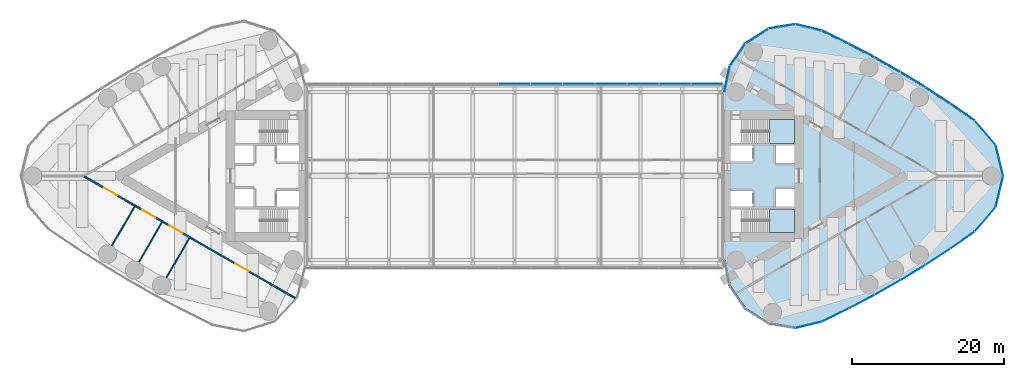
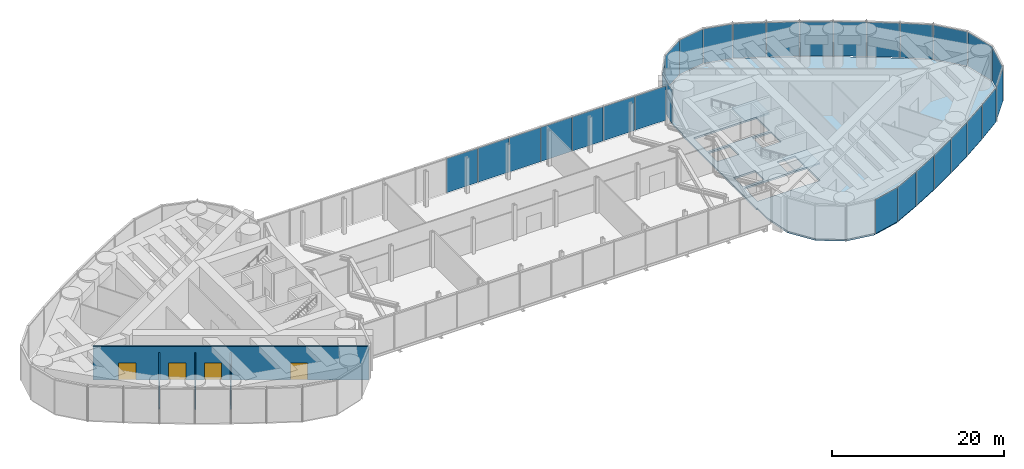
# One storey, part 14 of 19: 29 plates, 4 doors, 4 walls, 3 slabs, 4 openings, 4 elements without a shape of their own.
"""IFC4 building model written with IfcOpenShell, lengths in metres."""

from ifc_helpers import new_model, si_unit, direction, frame, frame_2d, origin, origin_2d, place, context, subcontext, project, spatial, polyline, rectangle, outline, extrude, material, layer, layer_set, type_object, element, fill, aggregate, save


model = new_model("IFC4")

# Units and contexts
model_context = context("Model", 3, precision=1e-05, world=origin(), true_north=direction((0.0, 1.0)))
body_context = subcontext(model_context, "Body", "Model", "MODEL_VIEW")
ifc_project = project(units=[si_unit("LENGTHUNIT", "METRE"), si_unit("AREAUNIT", "SQUARE_METRE"), si_unit("VOLUMEUNIT", "CUBIC_METRE"), si_unit("PLANEANGLEUNIT", "RADIAN"), si_unit("MASSUNIT", "GRAM", prefix="KILO")], contexts=[model_context])

# Site, building, storey
site_placement = place(None, origin())
site = spatial("IfcSite", under=ifc_project, at=site_placement, CompositionType="ELEMENT")
building_placement = place(site_placement, origin())
building = spatial("IfcBuilding", under=site, at=building_placement, Name="Lancet Gate Hotel", CompositionType="ELEMENT")
storey_placement = place(building_placement, frame((0.0, 0.0, 263.300048828125)))
storey = spatial("IfcBuildingStorey", under=building, at=storey_placement, Name="L69", CompositionType="ELEMENT", Elevation=263.300048828125)

# Slab
ifc_material_1 = material(Name="Concrete C50/60", Category="concrete")
ifc_layer_1 = layer(ifc_material_1, 0.25)
ifc_layer_set_1 = layer_set([ifc_layer_1], Name="Floor slab 250")
slab_type_1 = type_object("IfcSlabType", Name="Floor slab 250", PredefinedType="FLOOR", material=ifc_layer_set_1)
slab_1_placement = place(storey_placement, frame((0.0, 0.0, -0.25)))
element("IfcSlab", 1, at=slab_1_placement, inside=storey, type_object=slab_type_1, Name="T2 L69 floor slab", PredefinedType="FLOOR", context=body_context, shape_type="SweptSolid", body=[
    extrude(outline(polyline([(27.6201171875, -8.60009765625), (27.6201171875, -10.93603515625), (28.329345703125, -14.419677734375), (30.33740234375, -17.338134765625), (33.326904296875, -19.2392578125), (36.82177734375, -19.81982421875), (40.2763671875, -18.98486328125), (43.753662109375, -17.2890625), (47.18603515625, -15.47998046875), (50.5595703125, -13.56396484375), (53.87158203125, -11.54296875), (57.118408203125, -9.4189453125), (60.2861328125, -7.20166015625), (62.99658203125, -4.03759765625), (63.968017578125, 0.0), (62.99658203125, 4.03759765625), (60.2861328125, 7.20166015625), (57.118408203125, 9.4189453125), (53.87158203125, 11.54296875), (50.5595703125, 13.56396484375), (47.18603515625, 15.47998046875), (43.753662109375, 17.2890625), (40.2763671875, 18.98486328125), (36.82177734375, 19.81982421875), (33.326904296875, 19.2392578125), (30.33740234375, 17.338134765625), (28.329345703125, 14.419677734375), (27.6201171875, 10.93603515625), (27.6201171875, 8.60009765625), (27.5, 8.60009765625), (27.5, 8.199951171875), (27.5, -8.199951171875), (27.5, -8.60009765625), (27.6201171875, -8.60009765625)]), holes=[polyline([(28.300048828125, -7.39990234375), (36.699951171875, -7.39990234375), (36.699951171875, -4.300048828125), (28.300048828125, -4.300048828125), (28.300048828125, -7.39990234375)]), polyline([(28.300048828125, -1.89990234375), (28.300048828125, -4.0), (31.199951171875, -4.0), (31.199951171875, -1.89990234375), (28.300048828125, -1.89990234375)]), polyline([(34.25, -1.64990234375), (34.25, -4.0), (36.699951171875, -4.0), (36.699951171875, -1.64990234375), (34.25, -1.64990234375)]), polyline([(34.25, 1.64990234375), (36.699951171875, 1.64990234375), (36.699951171875, 4.0), (34.25, 4.0), (34.25, 1.64990234375)]), polyline([(28.300048828125, 4.0), (28.300048828125, 1.89990234375), (31.199951171875, 1.89990234375), (31.199951171875, 4.0), (28.300048828125, 4.0)]), polyline([(28.300048828125, 7.39990234375), (28.300048828125, 4.300048828125), (36.699951171875, 4.300048828125), (36.699951171875, 7.39990234375), (28.300048828125, 7.39990234375)])]), origin(), (0.0, 0.0, 1.0), 0.25),
])

# Curtain wall, plates
ifc_material_2 = material(Name="Aluminium curtain wall", Category="aluminium")
curtain_wall_type = type_object("IfcCurtainWallType", Name="Lantern crown glazing", PredefinedType="USERDEFINED", material=ifc_material_2)
curtain_wall_1_placement = place(storey_placement, origin())
curtain_wall_1 = element("IfcCurtainWall", 2, at=curtain_wall_1_placement, inside=storey, type_object=curtain_wall_type, Name="T2 L69 curtain wall 1", ObjectType="LANTERN GLAZING", PredefinedType="USERDEFINED")
ifc_material_3 = material(Name="Laminated low-iron glass 12-12", Category="glass")
ifc_layer_2 = layer(ifc_material_3, 0.02392578125)
ifc_layer_set_2 = layer_set([ifc_layer_2], Name="Lantern glass panel")
plate_type = type_object("IfcPlateType", Name="Lantern glass panel", PredefinedType="CURTAIN_PANEL", material=ifc_layer_set_2)
plate_1_placement = place(storey_placement, frame((38.57177734375, -19.520263671875, 0.0), z_axis=(0.0, 0.0, 1.0), x_axis=(0.972013837597, 0.234923603582, 0.0)))
plate_1 = element("IfcPlate", 3, at=plate_1_placement, type_object=plate_type, Name="T2 L69 curtain wall 1 panel 5", PredefinedType="CURTAIN_PANEL", context=body_context, shape_type="SweptSolid", body=[
    extrude(rectangle(XDim=3.526611328125, YDim=0.02392578125, at=origin_2d()), origin(), (0.0, 0.0, 1.0), 4.85009765625),
])
plate_2_placement = place(storey_placement, frame((42.062744140625, -18.247314453125, 0.0), z_axis=(0.0, 0.0, 1.0), x_axis=(0.898823462202, 0.438310830114, 0.0)))
plate_2 = element("IfcPlate", 4, at=plate_2_placement, type_object=plate_type, Name="T2 L69 curtain wall 1 panel 6", PredefinedType="CURTAIN_PANEL", context=body_context, shape_type="SweptSolid", body=[
    extrude(rectangle(XDim=3.818603515625, YDim=0.02392578125, at=origin_2d()), origin(), (0.0, 0.0, 1.0), 4.85009765625),
])
plate_3_placement = place(storey_placement, frame((45.52587890625, -16.49072265625, 0.0), z_axis=(0.0, 0.0, 1.0), x_axis=(0.884622760861, 0.466307378204, 0.0)))
plate_3 = element("IfcPlate", 5, at=plate_3_placement, type_object=plate_type, Name="T2 L69 curtain wall 1 panel 7", PredefinedType="CURTAIN_PANEL", context=body_context, shape_type="SweptSolid", body=[
    extrude(rectangle(XDim=3.818603515625, YDim=0.02392578125, at=origin_2d()), origin(), (0.0, 0.0, 1.0), 4.85009765625),
])
plate_4_placement = place(storey_placement, frame((48.93212890625, -14.626220703125, 0.0), z_axis=(0.0, 0.0, 1.0), x_axis=(0.869550293306, 0.493844395951, 0.0)))
plate_4 = element("IfcPlate", 6, at=plate_4_placement, type_object=plate_type, Name="T2 L69 curtain wall 1 panel 8", PredefinedType="CURTAIN_PANEL", context=body_context, shape_type="SweptSolid", body=[
    extrude(rectangle(XDim=3.818603515625, YDim=0.02392578125, at=origin_2d()), origin(), (0.0, 0.0, 1.0), 4.85009765625),
])
plate_5_placement = place(storey_placement, frame((52.278076171875, -12.65576171875, 0.0), z_axis=(0.0, 0.0, 1.0), x_axis=(0.853620912967, 0.520894746513, 0.0)))
plate_5 = element("IfcPlate", 7, at=plate_5_placement, type_object=plate_type, Name="T2 L69 curtain wall 1 panel 9", PredefinedType="CURTAIN_PANEL", context=body_context, shape_type="SweptSolid", body=[
    extrude(rectangle(XDim=3.818603515625, YDim=0.02392578125, at=origin_2d()), origin(), (0.0, 0.0, 1.0), 4.85009765625),
])
plate_6_placement = place(storey_placement, frame((55.560791015625, -10.581298828125, 0.0), z_axis=(0.0, 0.0, 1.0), x_axis=(0.83685031771, 0.547431772688, 0.0)))
plate_6 = element("IfcPlate", 8, at=plate_6_placement, type_object=plate_type, Name="T2 L69 curtain wall 1 panel 10", PredefinedType="CURTAIN_PANEL", context=body_context, shape_type="SweptSolid", body=[
    extrude(rectangle(XDim=3.818603515625, YDim=0.02392578125, at=origin_2d()), origin(), (0.0, 0.0, 1.0), 4.85009765625),
])
plate_7_placement = place(storey_placement, frame((58.776611328125, -8.40478515625, 0.0), z_axis=(0.0, 0.0, 1.0), x_axis=(0.819255034386, 0.573429323137, 0.0)))
plate_7 = element("IfcPlate", 9, at=plate_7_placement, type_object=plate_type, Name="T2 L69 curtain wall 1 panel 11", PredefinedType="CURTAIN_PANEL", context=body_context, shape_type="SweptSolid", body=[
    extrude(rectangle(XDim=3.818603515625, YDim=0.02392578125, at=origin_2d()), origin(), (0.0, 0.0, 1.0), 4.85009765625),
])
plate_8_placement = place(storey_placement, frame((61.737060546875, -5.692626953125, 0.0), z_axis=(0.0, 0.0, 1.0), x_axis=(0.650551562434, 0.759462088991, 0.0)))
plate_8 = element("IfcPlate", 10, at=plate_8_placement, type_object=plate_type, Name="T2 L69 curtain wall 1 panel 12", PredefinedType="CURTAIN_PANEL", context=body_context, shape_type="SweptSolid", body=[
    extrude(rectangle(XDim=4.1455078125, YDim=0.02392578125, at=origin_2d()), origin(), (0.0, 0.0, 1.0), 4.85009765625),
])
plate_9_placement = place(storey_placement, frame((63.598876953125, -2.046875, 0.0), z_axis=(0.0, 0.0, 1.0), x_axis=(0.233916001796, 0.972256809749, 0.0)))
plate_9 = element("IfcPlate", 11, at=plate_9_placement, type_object=plate_type, Name="T2 L69 curtain wall 1 panel 13", PredefinedType="CURTAIN_PANEL", context=body_context, shape_type="SweptSolid", body=[
    extrude(rectangle(XDim=4.1455078125, YDim=0.02392578125, at=origin_2d()), origin(), (0.0, 0.0, 1.0), 4.85009765625),
])
plate_10_placement = place(storey_placement, frame((63.598876953125, 2.046875, 0.0), z_axis=(0.0, 0.0, 1.0), x_axis=(-0.233916001796, 0.972256809749, 0.0)))
plate_10 = element("IfcPlate", 12, at=plate_10_placement, type_object=plate_type, Name="T2 L69 curtain wall 1 panel 14", PredefinedType="CURTAIN_PANEL", context=body_context, shape_type="SweptSolid", body=[
    extrude(rectangle(XDim=4.1455078125, YDim=0.02392578125, at=origin_2d()), origin(), (0.0, 0.0, 1.0), 4.85009765625),
])
plate_11_placement = place(storey_placement, frame((61.737060546875, 5.692626953125, 0.0), z_axis=(0.0, 0.0, 1.0), x_axis=(-0.650551562434, 0.759462088991, 0.0)))
plate_11 = element("IfcPlate", 13, at=plate_11_placement, type_object=plate_type, Name="T2 L69 curtain wall 1 panel 15", PredefinedType="CURTAIN_PANEL", context=body_context, shape_type="SweptSolid", body=[
    extrude(rectangle(XDim=4.1455078125, YDim=0.02392578125, at=origin_2d()), origin(), (0.0, 0.0, 1.0), 4.85009765625),
])
plate_12_placement = place(storey_placement, frame((58.776611328125, 8.40478515625, 0.0), z_axis=(0.0, 0.0, 1.0), x_axis=(-0.819255034386, 0.573429323137, 0.0)))
plate_12 = element("IfcPlate", 14, at=plate_12_placement, type_object=plate_type, Name="T2 L69 curtain wall 1 panel 16", PredefinedType="CURTAIN_PANEL", context=body_context, shape_type="SweptSolid", body=[
    extrude(rectangle(XDim=3.818603515625, YDim=0.02392578125, at=origin_2d()), origin(), (0.0, 0.0, 1.0), 4.85009765625),
])
plate_13_placement = place(storey_placement, frame((55.560791015625, 10.581298828125, 0.0), z_axis=(0.0, 0.0, 1.0), x_axis=(-0.83685031771, 0.547431772688, 0.0)))
plate_13 = element("IfcPlate", 15, at=plate_13_placement, type_object=plate_type, Name="T2 L69 curtain wall 1 panel 17", PredefinedType="CURTAIN_PANEL", context=body_context, shape_type="SweptSolid", body=[
    extrude(rectangle(XDim=3.818603515625, YDim=0.02392578125, at=origin_2d()), origin(), (0.0, 0.0, 1.0), 4.85009765625),
])
plate_14_placement = place(storey_placement, frame((52.278076171875, 12.65576171875, 0.0), z_axis=(0.0, 0.0, 1.0), x_axis=(-0.853620912967, 0.520894746513, 0.0)))
plate_14 = element("IfcPlate", 16, at=plate_14_placement, type_object=plate_type, Name="T2 L69 curtain wall 1 panel 18", PredefinedType="CURTAIN_PANEL", context=body_context, shape_type="SweptSolid", body=[
    extrude(rectangle(XDim=3.818603515625, YDim=0.02392578125, at=origin_2d()), origin(), (0.0, 0.0, 1.0), 4.85009765625),
])
plate_15_placement = place(storey_placement, frame((48.93212890625, 14.626220703125, 0.0), z_axis=(0.0, 0.0, 1.0), x_axis=(-0.869550293306, 0.493844395951, 0.0)))
plate_15 = element("IfcPlate", 17, at=plate_15_placement, type_object=plate_type, Name="T2 L69 curtain wall 1 panel 19", PredefinedType="CURTAIN_PANEL", context=body_context, shape_type="SweptSolid", body=[
    extrude(rectangle(XDim=3.818603515625, YDim=0.02392578125, at=origin_2d()), origin(), (0.0, 0.0, 1.0), 4.85009765625),
])
plate_16_placement = place(storey_placement, frame((45.52587890625, 16.49072265625, 0.0), z_axis=(0.0, 0.0, 1.0), x_axis=(-0.884622760861, 0.466307378204, 0.0)))
plate_16 = element("IfcPlate", 18, at=plate_16_placement, type_object=plate_type, Name="T2 L69 curtain wall 1 panel 20", PredefinedType="CURTAIN_PANEL", context=body_context, shape_type="SweptSolid", body=[
    extrude(rectangle(XDim=3.818603515625, YDim=0.02392578125, at=origin_2d()), origin(), (0.0, 0.0, 1.0), 4.85009765625),
])
plate_17_placement = place(storey_placement, frame((42.062744140625, 18.247314453125, 0.0), z_axis=(0.0, 0.0, 1.0), x_axis=(-0.898823462202, 0.438310830114, 0.0)))
plate_17 = element("IfcPlate", 19, at=plate_17_placement, type_object=plate_type, Name="T2 L69 curtain wall 1 panel 21", PredefinedType="CURTAIN_PANEL", context=body_context, shape_type="SweptSolid", body=[
    extrude(rectangle(XDim=3.818603515625, YDim=0.02392578125, at=origin_2d()), origin(), (0.0, 0.0, 1.0), 4.85009765625),
])
plate_18_placement = place(storey_placement, frame((38.57177734375, 19.520263671875, 0.0), z_axis=(0.0, 0.0, 1.0), x_axis=(-0.972013837597, 0.234923603582, 0.0)))
plate_18 = element("IfcPlate", 20, at=plate_18_placement, type_object=plate_type, Name="T2 L69 curtain wall 1 panel 22", PredefinedType="CURTAIN_PANEL", context=body_context, shape_type="SweptSolid", body=[
    extrude(rectangle(XDim=3.526611328125, YDim=0.02392578125, at=origin_2d()), origin(), (0.0, 0.0, 1.0), 4.85009765625),
])
plate_19_placement = place(storey_placement, frame((35.0546875, 19.64794921875, 0.0), z_axis=(0.0, 0.0, 1.0), x_axis=(-0.986480101775, -0.163881081283, 0.0)))
plate_19 = element("IfcPlate", 21, at=plate_19_placement, type_object=plate_type, Name="T2 L69 curtain wall 1 panel 23", PredefinedType="CURTAIN_PANEL", context=body_context, shape_type="SweptSolid", body=[
    extrude(rectangle(XDim=3.526611328125, YDim=0.02392578125, at=origin_2d()), origin(), (0.0, 0.0, 1.0), 4.85009765625),
])
plate_20_placement = place(storey_placement, frame((31.767822265625, 18.389892578125, 0.0), z_axis=(0.0, 0.0, 1.0), x_axis=(-0.843845020422, -0.536586974785, 0.0)))
plate_20 = element("IfcPlate", 22, at=plate_20_placement, type_object=plate_type, Name="T2 L69 curtain wall 1 panel 24", PredefinedType="CURTAIN_PANEL", context=body_context, shape_type="SweptSolid", body=[
    extrude(rectangle(XDim=3.526611328125, YDim=0.02392578125, at=origin_2d()), origin(), (0.0, 0.0, 1.0), 4.85009765625),
])
plate_21_placement = place(storey_placement, frame((29.234619140625, 15.947021484375, 0.0), z_axis=(0.0, 0.0, 1.0), x_axis=(-0.566823864908, -0.823839005007, 0.0)))
plate_21 = element("IfcPlate", 23, at=plate_21_placement, type_object=plate_type, Name="T2 L69 curtain wall 1 panel 25", PredefinedType="CURTAIN_PANEL", context=body_context, shape_type="SweptSolid", body=[
    extrude(rectangle(XDim=3.526611328125, YDim=0.02392578125, at=origin_2d()), origin(), (0.0, 0.0, 1.0), 4.85009765625),
])
plate_22_placement = place(storey_placement, frame((27.8583984375, 12.707763671875, 0.0), z_axis=(0.0, 0.0, 1.0), x_axis=(-0.199533486841, -0.979891008036, 0.0)))
plate_22 = element("IfcPlate", 24, at=plate_22_placement, type_object=plate_type, Name="T2 L69 curtain wall 1 panel 26", PredefinedType="CURTAIN_PANEL", context=body_context, shape_type="SweptSolid", body=[
    extrude(rectangle(XDim=3.526611328125, YDim=0.02392578125, at=origin_2d()), origin(), (0.0, 0.0, 1.0), 4.85009765625),
])
aggregate(curtain_wall_1, [plate_1, plate_2, plate_3, plate_4, plate_5, plate_6, plate_7, plate_8, plate_9, plate_10, plate_11, plate_12, plate_13, plate_14, plate_15, plate_16, plate_17, plate_18, plate_19, plate_20, plate_21, plate_22])

curtain_wall_2_placement = place(storey_placement, origin())
curtain_wall_2 = element("IfcCurtainWall", 25, at=curtain_wall_2_placement, inside=storey, type_object=curtain_wall_type, Name="Bridge block L69 curtain wall N", ObjectType="LANTERN GLAZING", PredefinedType="USERDEFINED")
plate_23_placement = place(storey_placement, frame((25.24609375, 12.1201171875, 0.0), z_axis=(0.0, 0.0, 1.0), x_axis=(-1.0, 0.0, 0.0)))
plate_23 = element("IfcPlate", 26, at=plate_23_placement, type_object=plate_type, Name="Bridge block L69 curtain wall N panel 1", PredefinedType="CURTAIN_PANEL", context=body_context, shape_type="SweptSolid", body=[
    extrude(rectangle(XDim=4.142578125, YDim=0.02392578125, at=origin_2d()), origin(), (0.0, 0.0, 1.0), 4.85009765625),
])
plate_24_placement = place(storey_placement, frame((21.03857421875, 12.1201171875, 0.0), z_axis=(0.0, 0.0, 1.0), x_axis=(-1.0, 0.0, 0.0)))
plate_24 = element("IfcPlate", 27, at=plate_24_placement, type_object=plate_type, Name="Bridge block L69 curtain wall N panel 2", PredefinedType="CURTAIN_PANEL", context=body_context, shape_type="SweptSolid", body=[
    extrude(rectangle(XDim=4.142578125, YDim=0.02392578125, at=origin_2d()), origin(), (0.0, 0.0, 1.0), 4.85009765625),
])
plate_25_placement = place(storey_placement, frame((16.830810546875, 12.1201171875, 0.0), z_axis=(0.0, 0.0, 1.0), x_axis=(-1.0, 0.0, 0.0)))
plate_25 = element("IfcPlate", 28, at=plate_25_placement, type_object=plate_type, Name="Bridge block L69 curtain wall N panel 3", PredefinedType="CURTAIN_PANEL", context=body_context, shape_type="SweptSolid", body=[
    extrude(rectangle(XDim=4.142578125, YDim=0.02392578125, at=origin_2d()), origin(), (0.0, 0.0, 1.0), 4.85009765625),
])
plate_26_placement = place(storey_placement, frame((12.623046875, 12.1201171875, 0.0), z_axis=(0.0, 0.0, 1.0), x_axis=(-1.0, 0.0, 0.0)))
plate_26 = element("IfcPlate", 29, at=plate_26_placement, type_object=plate_type, Name="Bridge block L69 curtain wall N panel 4", PredefinedType="CURTAIN_PANEL", context=body_context, shape_type="SweptSolid", body=[
    extrude(rectangle(XDim=4.142578125, YDim=0.02392578125, at=origin_2d()), origin(), (0.0, 0.0, 1.0), 4.85009765625),
])
plate_27_placement = place(storey_placement, frame((8.415283203125, 12.1201171875, 0.0), z_axis=(0.0, 0.0, 1.0), x_axis=(-1.0, 0.0, 0.0)))
plate_27 = element("IfcPlate", 30, at=plate_27_placement, type_object=plate_type, Name="Bridge block L69 curtain wall N panel 5", PredefinedType="CURTAIN_PANEL", context=body_context, shape_type="SweptSolid", body=[
    extrude(rectangle(XDim=4.142578125, YDim=0.02392578125, at=origin_2d()), origin(), (0.0, 0.0, 1.0), 4.85009765625),
])
plate_28_placement = place(storey_placement, frame((4.207763671875, 12.1201171875, 0.0), z_axis=(0.0, 0.0, 1.0), x_axis=(-1.0, 0.0, 0.0)))
plate_28 = element("IfcPlate", 31, at=plate_28_placement, type_object=plate_type, Name="Bridge block L69 curtain wall N panel 6", PredefinedType="CURTAIN_PANEL", context=body_context, shape_type="SweptSolid", body=[
    extrude(rectangle(XDim=4.142578125, YDim=0.02392578125, at=origin_2d()), origin(), (0.0, 0.0, 1.0), 4.85009765625),
])
plate_29_placement = place(storey_placement, frame((0.0, 12.1201171875, 0.0), z_axis=(0.0, 0.0, 1.0), x_axis=(-1.0, 0.0, 0.0)))
plate_29 = element("IfcPlate", 32, at=plate_29_placement, type_object=plate_type, Name="Bridge block L69 curtain wall N panel 7", PredefinedType="CURTAIN_PANEL", context=body_context, shape_type="SweptSolid", body=[
    extrude(rectangle(XDim=4.142578125, YDim=0.02392578125, at=origin_2d()), origin(), (0.0, 0.0, 1.0), 4.85009765625),
])
aggregate(curtain_wall_2, [plate_23, plate_24, plate_25, plate_26, plate_27, plate_28, plate_29])

# Stair, slab
ifc_material_4 = material(Name="Exit stair 28 risers 1500")
stair_type = type_object("IfcStairType", Name="Exit stair 28 risers 1500", PredefinedType="HALF_TURN_STAIR", material=ifc_material_4)
stair_1_placement = place(storey_placement, origin())
stair_1 = element("IfcStair", 33, at=stair_1_placement, inside=storey, type_object=stair_type, Name="T2 stair 1 L69", PredefinedType="HALF_TURN_STAIR")
ifc_material_5 = material(Name="Concrete C40/50", Category="concrete")
ifc_layer_3 = layer(ifc_material_5, 0.199951171875)
ifc_layer_set_3 = layer_set([ifc_layer_3], Name="Stair landing 200")
slab_type_2 = type_object("IfcSlabType", Name="Stair landing 200", PredefinedType="LANDING", material=ifc_layer_set_3)
slab_2_placement = place(storey_placement, frame((0.0, 0.0, 2.300048828125)))
slab_2 = element("IfcSlab", 34, at=slab_2_placement, type_object=slab_type_2, Name="ST3 landing 2", PredefinedType="LANDING", context=body_context, shape_type="SweptSolid", body=[
    extrude(outline(polyline([(33.43994140625, -7.39990234375), (36.699951171875, -7.39990234375), (36.699951171875, -4.300048828125), (33.43994140625, -4.300048828125), (33.43994140625, -7.39990234375)])), origin(), (0.0, 0.0, 1.0), 0.199951171875),
])
aggregate(stair_1, [slab_2])

stair_2_placement = place(storey_placement, origin())
stair_2 = element("IfcStair", 35, at=stair_2_placement, inside=storey, type_object=stair_type, Name="T2 stair 2 L69", PredefinedType="HALF_TURN_STAIR")
slab_3_placement = place(storey_placement, frame((0.0, 0.0, 2.300048828125)))
slab_3 = element("IfcSlab", 36, at=slab_3_placement, type_object=slab_type_2, Name="ST4 landing 2", PredefinedType="LANDING", context=body_context, shape_type="SweptSolid", body=[
    extrude(outline(polyline([(33.43994140625, 4.300048828125), (36.699951171875, 4.300048828125), (36.699951171875, 7.39990234375), (33.43994140625, 7.39990234375), (33.43994140625, 4.300048828125)])), origin(), (0.0, 0.0, 1.0), 0.199951171875),
])
aggregate(stair_2, [slab_3])

# Wall, openings, doors
ifc_material_6 = material(Name="Gypsum board partition")
ifc_layer_4 = layer(ifc_material_6, 0.199951171875)
ifc_layer_set_4 = layer_set([ifc_layer_4], Name="Corridor wall 200")
wall_type_1 = type_object("IfcWallType", Name="Corridor wall 200", PredefinedType="PARTITIONING", material=ifc_layer_set_4)
wall_1_placement = place(storey_placement, frame((-28.737060546875, -16.068359375, 0.0), z_axis=(0.0, 0.0, 1.0), x_axis=(-0.866026220747, 0.499998584977, 0.0)))
wall_1 = element("IfcWall", 37, at=wall_1_placement, inside=storey, type_object=wall_type_1, Name="T1 corridor wall 200 L69", PredefinedType="PARTITIONING", context=body_context, shape_type="SweptSolid", body=[
    extrude(rectangle(XDim=32.0166015625, YDim=0.199951171875, at=frame_2d((16.00830078125, 0.0))), origin(), (0.0, 0.0, 1.0), 4.75),
])
opening_1_placement = place(wall_1_placement, frame((27.066162109375, 0.0, 0.0)))
opening_1 = element("IfcOpeningElement", 38, at=opening_1_placement, cuts=wall_1, Name="Opening T1-L69-K105", PredefinedType="OPENING", context=body_context, shape_type="SweptSolid", body=[
    extrude(rectangle(XDim=2.0, YDim=2.39990234375, at=frame_2d((1.0, 1.199951171875))), frame((0.0, 0.10986328125, 0.0), z_axis=(0.0, -1.0, 0.0), x_axis=(1.0, 0.0, 0.0)), (0.0, 0.0, 1.0), 0.219970703125),
])
opening_2_placement = place(wall_1_placement, frame((21.26611328125, 0.0, 0.0)))
opening_2 = element("IfcOpeningElement", 39, at=opening_2_placement, cuts=wall_1, Name="Opening T1-L69-K106", PredefinedType="OPENING", context=body_context, shape_type="SweptSolid", body=[
    extrude(rectangle(XDim=2.0, YDim=2.39990234375, at=frame_2d((1.0, 1.199951171875))), frame((0.0, 0.10986328125, 0.0), z_axis=(0.0, -1.0, 0.0), x_axis=(1.0, 0.0, 0.0)), (0.0, 0.0, 1.0), 0.219970703125),
])
opening_3_placement = place(wall_1_placement, frame((17.117431640625, 0.0, 0.0)))
opening_3 = element("IfcOpeningElement", 40, at=opening_3_placement, cuts=wall_1, Name="Opening T1-L69-K107", PredefinedType="OPENING", context=body_context, shape_type="SweptSolid", body=[
    extrude(rectangle(XDim=2.0, YDim=2.39990234375, at=frame_2d((1.0, 1.199951171875))), frame((0.0, 0.10986328125, 0.0), z_axis=(0.0, -1.0, 0.0), x_axis=(1.0, 0.0, 0.0)), (0.0, 0.0, 1.0), 0.219970703125),
])
opening_4_placement = place(wall_1_placement, frame((7.1337890625, 0.0, 0.0)))
opening_4 = element("IfcOpeningElement", 41, at=opening_4_placement, cuts=wall_1, Name="Opening T1-L69-K108", PredefinedType="OPENING", context=body_context, shape_type="SweptSolid", body=[
    extrude(rectangle(XDim=2.0, YDim=2.39990234375, at=frame_2d((1.0, 1.199951171875))), frame((0.0, 0.10986328125, 0.0), z_axis=(0.0, -1.0, 0.0), x_axis=(1.0, 0.0, 0.0)), (0.0, 0.0, 1.0), 0.219970703125),
])
ifc_material_7 = material(Name="Timber door set", Category="wood")
door_type = type_object("IfcDoorType", Name="Plant room double door 2000", OperationType="DOUBLE_DOOR_SINGLE_SWING", PredefinedType="DOOR", material=ifc_material_7)
door_1_placement = place(opening_1_placement, origin())
door_1 = element("IfcDoor", 42, at=door_1_placement, inside=storey, type_object=door_type, Name="T1-L69-K105", OperationType="DOUBLE_DOOR_SINGLE_SWING", OverallHeight=2.39990234375, OverallWidth=2.0, PredefinedType="DOOR", context=body_context, shape_type="SweptSolid", body=[
    extrude(rectangle(XDim=2.0, YDim=2.39990234375, at=frame_2d((1.0, 1.199951171875))), frame((0.0, 0.02490234375, 0.0), z_axis=(0.0, -1.0, 0.0), x_axis=(1.0, 0.0, 0.0)), (0.0, 0.0, 1.0), 0.050048828125),
])
fill(opening_1, door_1)
door_2_placement = place(opening_2_placement, origin())
door_2 = element("IfcDoor", 43, at=door_2_placement, inside=storey, type_object=door_type, Name="T1-L69-K106", OperationType="DOUBLE_DOOR_SINGLE_SWING", OverallHeight=2.39990234375, OverallWidth=2.0, PredefinedType="DOOR", context=body_context, shape_type="SweptSolid", body=[
    extrude(rectangle(XDim=2.0, YDim=2.39990234375, at=frame_2d((1.0, 1.199951171875))), frame((0.0, 0.02490234375, 0.0), z_axis=(0.0, -1.0, 0.0), x_axis=(1.0, 0.0, 0.0)), (0.0, 0.0, 1.0), 0.050048828125),
])
fill(opening_2, door_2)
door_3_placement = place(opening_3_placement, origin())
door_3 = element("IfcDoor", 44, at=door_3_placement, inside=storey, type_object=door_type, Name="T1-L69-K107", OperationType="DOUBLE_DOOR_SINGLE_SWING", OverallHeight=2.39990234375, OverallWidth=2.0, PredefinedType="DOOR", context=body_context, shape_type="SweptSolid", body=[
    extrude(rectangle(XDim=2.0, YDim=2.39990234375, at=frame_2d((1.0, 1.199951171875))), frame((0.0, 0.02490234375, 0.0), z_axis=(0.0, -1.0, 0.0), x_axis=(1.0, 0.0, 0.0)), (0.0, 0.0, 1.0), 0.050048828125),
])
fill(opening_3, door_3)
door_4_placement = place(opening_4_placement, origin())
door_4 = element("IfcDoor", 45, at=door_4_placement, inside=storey, type_object=door_type, Name="T1-L69-K108", OperationType="DOUBLE_DOOR_SINGLE_SWING", OverallHeight=2.39990234375, OverallWidth=2.0, PredefinedType="DOOR", context=body_context, shape_type="SweptSolid", body=[
    extrude(rectangle(XDim=2.0, YDim=2.39990234375, at=frame_2d((1.0, 1.199951171875))), frame((0.0, 0.02490234375, 0.0), z_axis=(0.0, -1.0, 0.0), x_axis=(1.0, 0.0, 0.0)), (0.0, 0.0, 1.0), 0.050048828125),
])
fill(opening_4, door_4)

# Walls
ifc_material_8 = material(Name="Gypsum board partition")
ifc_layer_5 = layer(ifc_material_8, 0.14990234375)
ifc_layer_set_5 = layer_set([ifc_layer_5], Name="Party wall 150")
wall_type_2 = type_object("IfcWallType", Name="Party wall 150", PredefinedType="PARTITIONING", material=ifc_layer_set_5)
wall_2_placement = place(storey_placement, frame((-42.680419921875, -8.133544921875, 0.0), z_axis=(0.0, 0.0, 1.0), x_axis=(-0.499984479505, -0.866034364361, 0.0)))
element("IfcWall", 46, at=wall_2_placement, inside=storey, type_object=wall_type_2, Name="T1 party wall 150 L69", PredefinedType="PARTITIONING", context=body_context, shape_type="SweptSolid", body=[
    extrude(rectangle(XDim=5.995361328125, YDim=0.14990234375, at=frame_2d((2.99755859375, 0.0))), origin(), (0.0, 0.0, 1.0), 3.849853515625),
])
wall_3_placement = place(storey_placement, frame((-46.273681640625, -6.05908203125, 0.0), z_axis=(0.0, 0.0, 1.0), x_axis=(-0.500020471368, -0.866013584312, 0.0)))
element("IfcWall", 47, at=wall_3_placement, inside=storey, type_object=wall_type_2, Name="T1 party wall 150 L69", PredefinedType="PARTITIONING", context=body_context, shape_type="SweptSolid", body=[
    extrude(rectangle(XDim=6.027587890625, YDim=0.14990234375, at=frame_2d((3.013671875, 0.0))), origin(), (0.0, 0.0, 1.0), 3.849853515625),
])
wall_4_placement = place(storey_placement, frame((-49.866455078125, -3.98486328125, 0.0), z_axis=(0.0, 0.0, 1.0), x_axis=(-0.500000694566, -0.866025002776, 0.0)))
element("IfcWall", 48, at=wall_4_placement, inside=storey, type_object=wall_type_2, Name="T1 party wall 150 L69", PredefinedType="PARTITIONING", context=body_context, shape_type="SweptSolid", body=[
    extrude(rectangle(XDim=5.94970703125, YDim=0.14990234375, at=frame_2d((2.974853515625, 0.0))), origin(), (0.0, 0.0, 1.0), 3.849853515625),
])

save(model, "model.ifc")
